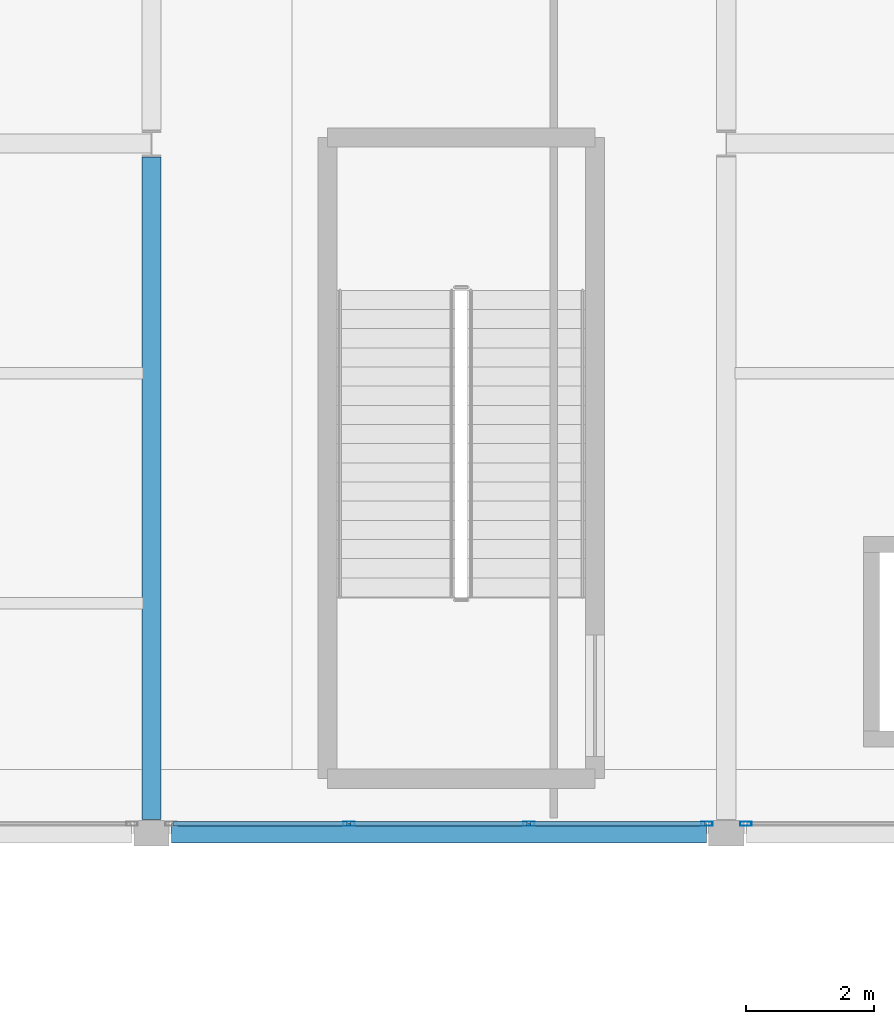
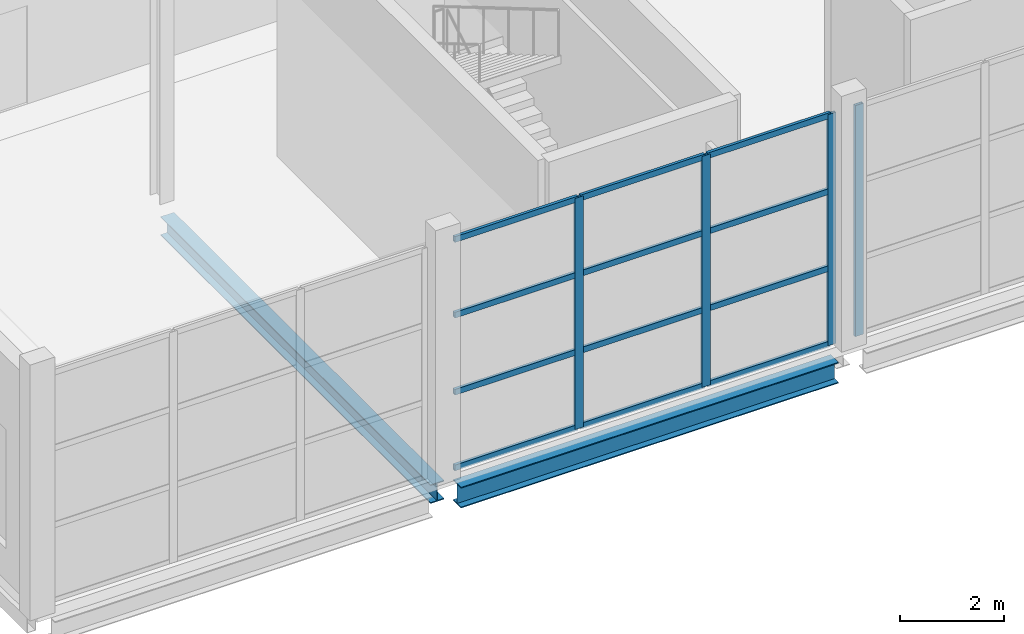
# One storey, part 69 of 191: 16 members, 2 beams, 2 elements without a shape of their own.
"""IFC4 building model written with IfcOpenShell, lengths in metres."""

from ifc_helpers import new_model, si_unit, direction, frame, origin, origin_2d, place, context, subcontext, project, spatial, hollow_rectangle, i_section, extrude, material, layer, layer_set, material_profile, profile_set, type_object, element, aggregate, save


model = new_model("IFC4")

# Units and contexts
model_context = context("Model", 3, precision=1e-05, world=origin(), true_north=direction((0.0, 1.0)))
body_context = subcontext(model_context, "Body", "Model", "MODEL_VIEW")
ifc_project = project(units=[si_unit("LENGTHUNIT", "METRE"), si_unit("AREAUNIT", "SQUARE_METRE"), si_unit("VOLUMEUNIT", "CUBIC_METRE"), si_unit("PLANEANGLEUNIT", "RADIAN"), si_unit("MASSUNIT", "GRAM", prefix="KILO")], contexts=[model_context])

# Site, building, storey
site_placement = place(None, origin())
site = spatial("IfcSite", under=ifc_project, at=site_placement, CompositionType="ELEMENT")
building_placement = place(site_placement, origin())
building = spatial("IfcBuilding", under=site, at=building_placement, Name="Tamarisk Ironworks Central Station", CompositionType="ELEMENT")
storey_placement = place(building_placement, frame((0.0, 0.0, 6.60009765625)))
storey = spatial("IfcBuildingStorey", under=building, at=storey_placement, Name="L01", CompositionType="ELEMENT", Elevation=6.60009765625)

# Beams
ifc_material_1 = material(Name="Structural steel S355J2", Category="steel")
ifc_material_profile_1 = material_profile(ifc_material_1, i_section(OverallWidth=0.300048828125, OverallDepth=0.489990234375, WebThickness=0.011962890625, FlangeThickness=0.02294921875, at=origin_2d()), Name="HEA 500")
ifc_profile_set_1 = profile_set([ifc_material_profile_1], Name="Structural steel S355J2")
beam_type_1 = type_object("IfcBeamType", Name="BM-G05", PredefinedType="BEAM", material=ifc_profile_set_1)
beam_1_placement = place(storey_placement, frame((9.31298828125, 90.0, -0.4951171875), z_axis=(1.0, 0.0, 0.0), x_axis=(0.0, 1.0, 0.0)))
element("IfcBeam", 1, at=beam_1_placement, inside=storey, type_object=beam_type_1, Name="L01 primary girder X-0094", PredefinedType="BEAM", context=body_context, shape_type="SweptSolid", body=[
    extrude(i_section(OverallWidth=0.300048828125, OverallDepth=0.489990234375, WebThickness=0.011962890625, FlangeThickness=0.02294921875, at=origin_2d()), origin(), (0.0, 0.0, 1.0), 8.3740234375),
])
ifc_material_profile_2 = material_profile(ifc_material_1, i_section(OverallWidth=0.300048828125, OverallDepth=0.43994140625, WebThickness=0.011474609375, FlangeThickness=0.02099609375, at=origin_2d()), Name="HEA 450")
ifc_profile_set_2 = profile_set([ifc_material_profile_2], Name="Structural steel S355J2")
beam_type_2 = type_object("IfcBeamType", Name="BM-G06", PredefinedType="BEAM", material=ifc_profile_set_2)
beam_2_placement = place(storey_placement, frame((9.0, 90.212890625, -0.47021484375), z_axis=(0.0, 1.0, 0.0), x_axis=(-1.0, 0.0, 0.0)))
element("IfcBeam", 2, at=beam_2_placement, inside=storey, type_object=beam_type_2, Name="L01 primary girder Y-0168", PredefinedType="BEAM", context=body_context, shape_type="SweptSolid", body=[
    extrude(i_section(OverallWidth=0.300048828125, OverallDepth=0.43994140625, WebThickness=0.011474609375, FlangeThickness=0.02099609375, at=origin_2d()), origin(), (0.0, 0.0, 1.0), 10.3740234375),
])

# Curtain wall, members
ifc_material_2 = material(Name="Anodized aluminium alloy 6063-T6", Category="aluminium")
ifc_layer = layer(ifc_material_2, 0.179931640625)
ifc_layer_set = layer_set([ifc_layer], Name="Anodized aluminium alloy 6063-T6")
curtain_wall_type = type_object("IfcCurtainWallType", Name="CW-10", PredefinedType="USERDEFINED", material=ifc_layer_set)
curtain_wall_1_placement = place(storey_placement, origin())
curtain_wall_1 = element("IfcCurtainWall", 3, at=curtain_wall_1_placement, inside=storey, type_object=curtain_wall_type, Name="Pavilion L01 S glazed arcade 09", ObjectType="GLAZED CURTAIN WALL", PredefinedType="USERDEFINED")
ifc_material_profile_3 = material_profile(ifc_material_2, hollow_rectangle(XDim=0.06494140625, YDim=0.179931640625, WallThickness=0.00390625, at=origin_2d()), Name="ALUM 180x65")
ifc_profile_set_3 = profile_set([ifc_material_profile_3], Name="Anodized aluminium alloy 6063-T6")
member_type_1 = type_object("IfcMemberType", Name="CWM-02", PredefinedType="MULLION", material=ifc_profile_set_3)
member_1_placement = place(storey_placement, frame((12.091064453125, 90.14990234375, 0.0), z_axis=(0.0, 0.0, 1.0), x_axis=(0.0, 1.0, 0.0)))
member_1 = element("IfcMember", 4, at=member_1_placement, type_object=member_type_1, Name="CW10 mullion 2", PredefinedType="MULLION", context=body_context, shape_type="SweptSolid", body=[
    extrude(hollow_rectangle(XDim=0.06494140625, YDim=0.179931640625, WallThickness=0.00390625, at=origin_2d()), origin(), (0.0, 0.0, 1.0), 5.419921875),
])
member_2_placement = place(storey_placement, frame((14.908935546875, 90.14990234375, 0.0), z_axis=(0.0, 0.0, 1.0), x_axis=(0.0, 1.0, 0.0)))
member_2 = element("IfcMember", 5, at=member_2_placement, type_object=member_type_1, Name="CW10 mullion 3", PredefinedType="MULLION", context=body_context, shape_type="SweptSolid", body=[
    extrude(hollow_rectangle(XDim=0.06494140625, YDim=0.179931640625, WallThickness=0.00390625, at=origin_2d()), origin(), (0.0, 0.0, 1.0), 5.419921875),
])
member_3_placement = place(storey_placement, frame((17.694580078125, 90.14990234375, 0.0), z_axis=(0.0, 0.0, 1.0), x_axis=(0.0, 1.0, 0.0)))
member_3 = element("IfcMember", 6, at=member_3_placement, type_object=member_type_1, Name="CW10 mullion 4", PredefinedType="MULLION", context=body_context, shape_type="SweptSolid", body=[
    extrude(hollow_rectangle(XDim=0.06494140625, YDim=0.179931640625, WallThickness=0.00390625, at=origin_2d()), origin(), (0.0, 0.0, 1.0), 5.419921875),
])

# Curtain wall, member
curtain_wall_2_placement = place(storey_placement, origin())
curtain_wall_2 = element("IfcCurtainWall", 7, at=curtain_wall_2_placement, inside=storey, type_object=curtain_wall_type, Name="Pavilion L01 S glazed arcade 18", ObjectType="GLAZED CURTAIN WALL", PredefinedType="USERDEFINED")
member_4_placement = place(storey_placement, frame((18.305419921875, 90.14990234375, 0.0), z_axis=(0.0, 0.0, 1.0), x_axis=(0.0, 1.0, 0.0)))
member_4 = element("IfcMember", 8, at=member_4_placement, type_object=member_type_1, Name="CW10 mullion 1", PredefinedType="MULLION", context=body_context, shape_type="SweptSolid", body=[
    extrude(hollow_rectangle(XDim=0.06494140625, YDim=0.179931640625, WallThickness=0.00390625, at=origin_2d()), origin(), (0.0, 0.0, 1.0), 5.419921875),
])
aggregate(curtain_wall_2, [member_4])

# Member
ifc_material_profile_4 = material_profile(ifc_material_2, hollow_rectangle(XDim=0.06494140625, YDim=0.135009765625, WallThickness=0.00341796875, at=origin_2d()), Name="ALUM 135x65")
ifc_profile_set_4 = profile_set([ifc_material_profile_4], Name="Anodized aluminium alloy 6063-T6")
member_type_2 = type_object("IfcMemberType", Name="CWT-02", PredefinedType="USERDEFINED", material=ifc_profile_set_4)
member_5_placement = place(storey_placement, frame((9.333984375, 90.14990234375, 0.032470703125), z_axis=(1.0, 0.0, 0.0), x_axis=(0.0, 1.0, 0.0)))
member_5 = element("IfcMember", 9, at=member_5_placement, type_object=member_type_2, Name="CW10 transom 1.1", ObjectType="TRANSOM", PredefinedType="USERDEFINED", context=body_context, shape_type="SweptSolid", body=[
    extrude(hollow_rectangle(XDim=0.06494140625, YDim=0.135009765625, WallThickness=0.00341796875, at=origin_2d()), origin(), (0.0, 0.0, 1.0), 2.728515625),
])

member_6_placement = place(storey_placement, frame((9.333984375, 90.14990234375, 1.806640625), z_axis=(1.0, 0.0, 0.0), x_axis=(0.0, 1.0, 0.0)))
member_6 = element("IfcMember", 10, at=member_6_placement, type_object=member_type_2, Name="CW10 transom 1.2", ObjectType="TRANSOM", PredefinedType="USERDEFINED", context=body_context, shape_type="SweptSolid", body=[
    extrude(hollow_rectangle(XDim=0.06494140625, YDim=0.135009765625, WallThickness=0.00341796875, at=origin_2d()), origin(), (0.0, 0.0, 1.0), 2.728515625),
])

member_7_placement = place(storey_placement, frame((9.333984375, 90.14990234375, 3.61328125), z_axis=(1.0, 0.0, 0.0), x_axis=(0.0, 1.0, 0.0)))
member_7 = element("IfcMember", 11, at=member_7_placement, type_object=member_type_2, Name="CW10 transom 1.3", ObjectType="TRANSOM", PredefinedType="USERDEFINED", context=body_context, shape_type="SweptSolid", body=[
    extrude(hollow_rectangle(XDim=0.06494140625, YDim=0.135009765625, WallThickness=0.00341796875, at=origin_2d()), origin(), (0.0, 0.0, 1.0), 2.728515625),
])

member_8_placement = place(storey_placement, frame((9.333984375, 90.14990234375, 5.387451171875), z_axis=(1.0, 0.0, 0.0), x_axis=(0.0, 1.0, 0.0)))
member_8 = element("IfcMember", 12, at=member_8_placement, type_object=member_type_2, Name="CW10 transom 1.4", ObjectType="TRANSOM", PredefinedType="USERDEFINED", context=body_context, shape_type="SweptSolid", body=[
    extrude(hollow_rectangle(XDim=0.06494140625, YDim=0.135009765625, WallThickness=0.00341796875, at=origin_2d()), origin(), (0.0, 0.0, 1.0), 2.728515625),
])

member_9_placement = place(storey_placement, frame((12.119384765625, 90.14990234375, 0.032470703125), z_axis=(1.0, 0.0, 0.0), x_axis=(0.0, 1.0, 0.0)))
member_9 = element("IfcMember", 13, at=member_9_placement, type_object=member_type_2, Name="CW10 transom 2.1", ObjectType="TRANSOM", PredefinedType="USERDEFINED", context=body_context, shape_type="SweptSolid", body=[
    extrude(hollow_rectangle(XDim=0.06494140625, YDim=0.135009765625, WallThickness=0.00341796875, at=origin_2d()), origin(), (0.0, 0.0, 1.0), 2.76123046875),
])

member_10_placement = place(storey_placement, frame((12.119384765625, 90.14990234375, 1.806640625), z_axis=(1.0, 0.0, 0.0), x_axis=(0.0, 1.0, 0.0)))
member_10 = element("IfcMember", 14, at=member_10_placement, type_object=member_type_2, Name="CW10 transom 2.2", ObjectType="TRANSOM", PredefinedType="USERDEFINED", context=body_context, shape_type="SweptSolid", body=[
    extrude(hollow_rectangle(XDim=0.06494140625, YDim=0.135009765625, WallThickness=0.00341796875, at=origin_2d()), origin(), (0.0, 0.0, 1.0), 2.76123046875),
])

member_11_placement = place(storey_placement, frame((12.119384765625, 90.14990234375, 3.61328125), z_axis=(1.0, 0.0, 0.0), x_axis=(0.0, 1.0, 0.0)))
member_11 = element("IfcMember", 15, at=member_11_placement, type_object=member_type_2, Name="CW10 transom 2.3", ObjectType="TRANSOM", PredefinedType="USERDEFINED", context=body_context, shape_type="SweptSolid", body=[
    extrude(hollow_rectangle(XDim=0.06494140625, YDim=0.135009765625, WallThickness=0.00341796875, at=origin_2d()), origin(), (0.0, 0.0, 1.0), 2.76123046875),
])

member_12_placement = place(storey_placement, frame((12.119384765625, 90.14990234375, 5.387451171875), z_axis=(1.0, 0.0, 0.0), x_axis=(0.0, 1.0, 0.0)))
member_12 = element("IfcMember", 16, at=member_12_placement, type_object=member_type_2, Name="CW10 transom 2.4", ObjectType="TRANSOM", PredefinedType="USERDEFINED", context=body_context, shape_type="SweptSolid", body=[
    extrude(hollow_rectangle(XDim=0.06494140625, YDim=0.135009765625, WallThickness=0.00341796875, at=origin_2d()), origin(), (0.0, 0.0, 1.0), 2.76123046875),
])

member_13_placement = place(storey_placement, frame((14.9375, 90.14990234375, 0.032470703125), z_axis=(1.0, 0.0, 0.0), x_axis=(0.0, 1.0, 0.0)))
member_13 = element("IfcMember", 17, at=member_13_placement, type_object=member_type_2, Name="CW10 transom 3.1", ObjectType="TRANSOM", PredefinedType="USERDEFINED", context=body_context, shape_type="SweptSolid", body=[
    extrude(hollow_rectangle(XDim=0.06494140625, YDim=0.135009765625, WallThickness=0.00341796875, at=origin_2d()), origin(), (0.0, 0.0, 1.0), 2.728515625),
])

member_14_placement = place(storey_placement, frame((14.9375, 90.14990234375, 1.806640625), z_axis=(1.0, 0.0, 0.0), x_axis=(0.0, 1.0, 0.0)))
member_14 = element("IfcMember", 18, at=member_14_placement, type_object=member_type_2, Name="CW10 transom 3.2", ObjectType="TRANSOM", PredefinedType="USERDEFINED", context=body_context, shape_type="SweptSolid", body=[
    extrude(hollow_rectangle(XDim=0.06494140625, YDim=0.135009765625, WallThickness=0.00341796875, at=origin_2d()), origin(), (0.0, 0.0, 1.0), 2.728515625),
])

member_15_placement = place(storey_placement, frame((14.9375, 90.14990234375, 3.61328125), z_axis=(1.0, 0.0, 0.0), x_axis=(0.0, 1.0, 0.0)))
member_15 = element("IfcMember", 19, at=member_15_placement, type_object=member_type_2, Name="CW10 transom 3.3", ObjectType="TRANSOM", PredefinedType="USERDEFINED", context=body_context, shape_type="SweptSolid", body=[
    extrude(hollow_rectangle(XDim=0.06494140625, YDim=0.135009765625, WallThickness=0.00341796875, at=origin_2d()), origin(), (0.0, 0.0, 1.0), 2.728515625),
])

member_16_placement = place(storey_placement, frame((14.9375, 90.14990234375, 5.387451171875), z_axis=(1.0, 0.0, 0.0), x_axis=(0.0, 1.0, 0.0)))
member_16 = element("IfcMember", 20, at=member_16_placement, type_object=member_type_2, Name="CW10 transom 3.4", ObjectType="TRANSOM", PredefinedType="USERDEFINED", context=body_context, shape_type="SweptSolid", body=[
    extrude(hollow_rectangle(XDim=0.06494140625, YDim=0.135009765625, WallThickness=0.00341796875, at=origin_2d()), origin(), (0.0, 0.0, 1.0), 2.728515625),
])

aggregate(curtain_wall_1, [member_1, member_2, member_3, member_5, member_6, member_7, member_8, member_9, member_10, member_11, member_12, member_13, member_14, member_15, member_16])

save(model, "model.ifc")
